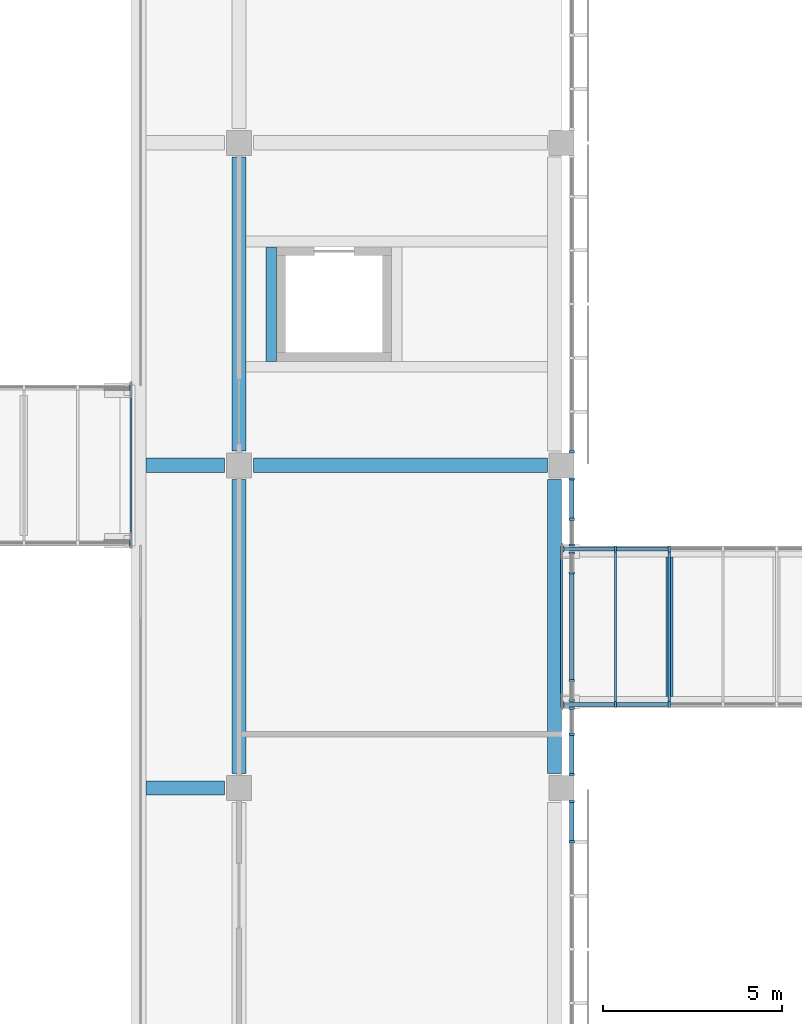
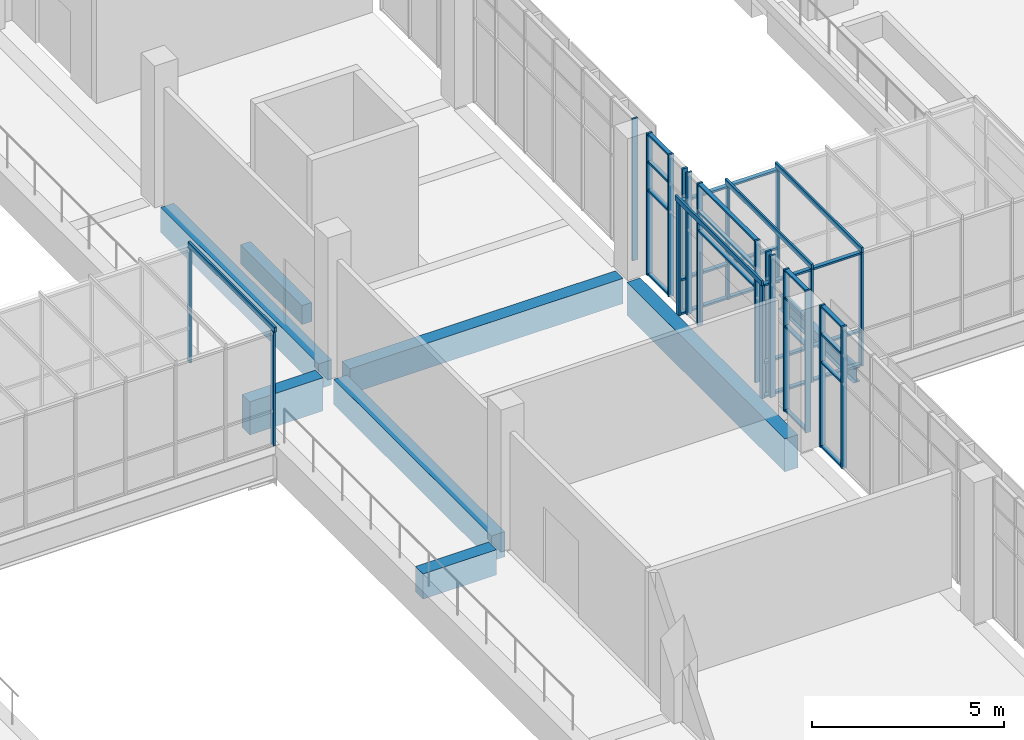
# One storey, part 25 of 106: 52 members, 8 beams, 11 elements without a shape of their own.
"""IFC4 building model written with IfcOpenShell, lengths in metres."""

from ifc_helpers import new_model, si_unit, direction, frame, origin, origin_2d, place, context, subcontext, project, spatial, rectangle, i_section, extrude, material, layer, layer_set, material_profile, profile_set, type_object, element, aggregate, save


model = new_model("IFC4")

# Units and contexts
model_context = context("Model", 3, precision=1e-05, world=origin(), true_north=direction((0.0, 1.0)))
body_context = subcontext(model_context, "Body", "Model", "MODEL_VIEW")
ifc_project = project(units=[si_unit("LENGTHUNIT", "METRE"), si_unit("AREAUNIT", "SQUARE_METRE"), si_unit("VOLUMEUNIT", "CUBIC_METRE"), si_unit("PLANEANGLEUNIT", "RADIAN"), si_unit("MASSUNIT", "GRAM", prefix="KILO")], contexts=[model_context])

# Site, building, storey
site_placement = place(None, origin())
site = spatial("IfcSite", under=ifc_project, at=site_placement, CompositionType="ELEMENT")
building_placement = place(site_placement, origin())
building = spatial("IfcBuilding", under=site, at=building_placement, Name="Guidao Yard Department Store", CompositionType="ELEMENT")
storey_placement = place(building_placement, frame((0.0, 0.0, 10.5)))
storey = spatial("IfcBuildingStorey", under=building, at=storey_placement, Name="L02", CompositionType="ELEMENT", Elevation=10.5)

# Beams
ifc_material_1 = material(Name="Concrete C40", Category="concrete")
ifc_material_profile_1 = material_profile(ifc_material_1, rectangle(XDim=0.39990234375, YDim=1.050048828125, at=origin_2d()), Name="Bridge landing beam 400 x 1050 C40")
ifc_profile_set_1 = profile_set([ifc_material_profile_1], Name="Concrete C40")
beam_type_1 = type_object("IfcBeamType", Name="Bridge landing beam 400 x 1050 C40", PredefinedType="BEAM", material=ifc_profile_set_1)
beam_1_placement = place(storey_placement, frame((107.800048828125, 81.39990234375, -0.52490234375), z_axis=(0.0, 1.0, 0.0), x_axis=(-1.0, 0.0, 0.0)))
element("IfcBeam", 1, at=beam_1_placement, inside=storey, type_object=beam_type_1, Name="Beam LB08", PredefinedType="BEAM", context=body_context, shape_type="SweptSolid", body=[
    extrude(rectangle(XDim=0.39990234375, YDim=1.050048828125, at=origin_2d()), origin(), (0.0, 0.0, 1.0), 8.2001953125),
])
beam_2_placement = place(storey_placement, frame((96.39990234375, 90.0, -0.52490234375), z_axis=(1.0, 0.0, 0.0), x_axis=(0.0, 1.0, 0.0)))
element("IfcBeam", 2, at=beam_2_placement, inside=storey, type_object=beam_type_1, Name="Beam LB10", PredefinedType="BEAM", context=body_context, shape_type="SweptSolid", body=[
    extrude(rectangle(XDim=0.39990234375, YDim=1.050048828125, at=origin_2d()), origin(), (0.0, 0.0, 1.0), 2.2001953125),
])
ifc_material_2 = material(Name="Concrete C40", Category="concrete")
ifc_material_profile_2 = material_profile(ifc_material_2, rectangle(XDim=0.39990234375, YDim=0.800048828125, at=origin_2d()), Name="Edge beam 400 x 800 C40")
ifc_profile_set_2 = profile_set([ifc_material_profile_2], Name="Concrete C40")
beam_type_2 = type_object("IfcBeamType", Name="Edge beam 400 x 800 C40", PredefinedType="BEAM", material=ifc_profile_set_2)
for number, where, z_axis, x_axis, name in (
    (3, (99.0, 81.39990234375, -0.39990234375), (0.0, 1.0, 0.0), (-1.0, 0.0, 0.0), "Beam EB53"),
    (4, (99.0, 90.39990234375, -0.39990234375), (0.0, 1.0, 0.0), (-1.0, 0.0, 0.0), "Beam EB54"),
):
    element("IfcBeam", number, at=place(storey_placement, frame(where, z_axis=z_axis, x_axis=x_axis)), inside=storey, type_object=beam_type_2, Name=name, PredefinedType="BEAM", context=body_context, shape_type="SweptSolid", body=[
        extrude(rectangle(XDim=0.39990234375, YDim=0.800048828125, at=origin_2d()), origin(), (0.0, 0.0, 1.0), 8.2001953125),
    ])
beam_3_placement = place(storey_placement, frame((96.39990234375, 81.0, -0.39990234375), z_axis=(1.0, 0.0, 0.0), x_axis=(0.0, 1.0, 0.0)))
element("IfcBeam", 5, at=beam_3_placement, inside=storey, type_object=beam_type_2, Name="Beam EB59", PredefinedType="BEAM", context=body_context, shape_type="SweptSolid", body=[
    extrude(rectangle(XDim=0.39990234375, YDim=0.800048828125, at=origin_2d()), origin(), (0.0, 0.0, 1.0), 2.2001953125),
])
beam_4_placement = place(storey_placement, frame((99.39990234375, 90.0, -0.39990234375), z_axis=(1.0, 0.0, 0.0), x_axis=(0.0, 1.0, 0.0)))
element("IfcBeam", 6, at=beam_4_placement, inside=storey, type_object=beam_type_2, Name="Beam EB83", PredefinedType="BEAM", context=body_context, shape_type="SweptSolid", body=[
    extrude(rectangle(XDim=0.39990234375, YDim=0.800048828125, at=origin_2d()), origin(), (0.0, 0.0, 1.0), 8.2001953125),
])
ifc_material_3 = material(Name="Steel Q355B", Category="steel")
ifc_material_profile_3 = material_profile(ifc_material_3, i_section(OverallWidth=0.199951171875, OverallDepth=0.449951171875, WebThickness=0.009033203125, FlangeThickness=0.013916015625, FilletRadius=0.012939453125, at=origin_2d()), Name="HN 450x200x9x14")
ifc_profile_set_3 = profile_set([ifc_material_profile_3], Name="Steel Q355B")
beam_type_3 = type_object("IfcBeamType", Name="HN 450x200x9x14", PredefinedType="BEAM", material=ifc_profile_set_3)
beam_5_placement = place(storey_placement, frame((111.0048828125, 83.550048828125, -0.47509765625), z_axis=(0.0, 1.0, 0.0), x_axis=(-1.0, 0.0, 0.0)))
element("IfcBeam", 7, at=beam_5_placement, inside=storey, type_object=beam_type_3, Name="Bridge cross beam BR08-1", PredefinedType="BEAM", context=body_context, shape_type="SweptSolid", body=[
    extrude(i_section(OverallWidth=0.199951171875, OverallDepth=0.449951171875, WebThickness=0.009033203125, FlangeThickness=0.013916015625, FilletRadius=0.012939453125, at=origin_2d()), origin(), (0.0, 0.0, 1.0), 3.89990234375),
])

# Curtain wall, members
ifc_material_4 = material(Name="Aluminium and glass", Category="aluminium")
ifc_layer_1 = layer(ifc_material_4, 0.159912109375)
ifc_layer_set_1 = layer_set([ifc_layer_1], Name="Shopfront curtain wall CW1 1500 module")
curtain_wall_type_1 = type_object("IfcCurtainWallType", Name="Shopfront curtain wall CW1 1500 module", PredefinedType="NOTDEFINED", material=ifc_layer_set_1)
curtain_wall_1_placement = place(storey_placement, origin())
curtain_wall_1 = element("IfcCurtainWall", 8, at=curtain_wall_1_placement, inside=storey, type_object=curtain_wall_type_1, Name="Arcade shop front", PredefinedType="NOTDEFINED")
ifc_material_5 = material(Name="Aluminium 6063-T5", Category="aluminium")
ifc_material_profile_4 = material_profile(ifc_material_5, rectangle(XDim=0.06005859375, YDim=0.159912109375, at=origin_2d()), Name="Mullion M1 60 x 160 aluminium pressure plate")
ifc_profile_set_4 = profile_set([ifc_material_profile_4], Name="Aluminium 6063-T5")
member_type_1 = type_object("IfcMemberType", Name="Mullion M1 60 x 160 aluminium pressure plate", PredefinedType="MULLION", material=ifc_profile_set_4)
member_1_placement = place(storey_placement, frame((108.280029296875, 79.5, 0.0), z_axis=(0.0, 0.0, 1.0), x_axis=(0.0, -1.0, 0.0)))
member_1 = element("IfcMember", 9, at=member_1_placement, type_object=member_type_1, Name="CW-AS-L02-17 mullion 6", PredefinedType="MULLION", context=body_context, shape_type="SweptSolid", body=[
    extrude(rectangle(XDim=0.06005859375, YDim=0.159912109375, at=origin_2d()), origin(), (0.0, 0.0, 1.0), 4.5),
])
member_2_placement = place(storey_placement, frame((108.280029296875, 80.6201171875, 0.0), z_axis=(0.0, 0.0, 1.0), x_axis=(0.0, -1.0, 0.0)))
member_2 = element("IfcMember", 10, at=member_2_placement, type_object=member_type_1, Name="CW-AS-L02-17 mullion 7", PredefinedType="MULLION", context=body_context, shape_type="SweptSolid", body=[
    extrude(rectangle(XDim=0.06005859375, YDim=0.159912109375, at=origin_2d()), origin(), (0.0, 0.0, 1.0), 4.5),
])

curtain_wall_2_placement = place(storey_placement, origin())
curtain_wall_2 = element("IfcCurtainWall", 11, at=curtain_wall_2_placement, inside=storey, type_object=curtain_wall_type_1, Name="Arcade shop front", PredefinedType="NOTDEFINED")
member_3_placement = place(storey_placement, frame((108.280029296875, 81.3798828125, 0.0), z_axis=(0.0, 0.0, 1.0), x_axis=(0.0, -1.0, 0.0)))
member_3 = element("IfcMember", 12, at=member_3_placement, type_object=member_type_1, Name="CW-AS-L02-18 mullion 1", PredefinedType="MULLION", context=body_context, shape_type="SweptSolid", body=[
    extrude(rectangle(XDim=0.06005859375, YDim=0.159912109375, at=origin_2d()), origin(), (0.0, 0.0, 1.0), 4.5),
])
member_4_placement = place(storey_placement, frame((108.280029296875, 82.5, 0.0), z_axis=(0.0, 0.0, 1.0), x_axis=(0.0, -1.0, 0.0)))
member_4 = element("IfcMember", 13, at=member_4_placement, type_object=member_type_1, Name="CW-AS-L02-18 mullion 2", PredefinedType="MULLION", context=body_context, shape_type="SweptSolid", body=[
    extrude(rectangle(XDim=0.06005859375, YDim=0.159912109375, at=origin_2d()), origin(), (0.0, 0.0, 1.0), 4.5),
])
member_5_placement = place(storey_placement, frame((108.280029296875, 83.219970703125, 0.0), z_axis=(0.0, 0.0, 1.0), x_axis=(0.0, -1.0, 0.0)))
member_5 = element("IfcMember", 14, at=member_5_placement, type_object=member_type_1, Name="CW-AS-L02-18 mullion 3", PredefinedType="MULLION", context=body_context, shape_type="SweptSolid", body=[
    extrude(rectangle(XDim=0.06005859375, YDim=0.159912109375, at=origin_2d()), origin(), (0.0, 0.0, 1.0), 4.5),
])

curtain_wall_3_placement = place(storey_placement, origin())
curtain_wall_3 = element("IfcCurtainWall", 15, at=curtain_wall_3_placement, inside=storey, type_object=curtain_wall_type_1, Name="Arcade shop front", PredefinedType="NOTDEFINED")
member_6_placement = place(storey_placement, frame((108.280029296875, 83.43994140625, 0.0), z_axis=(0.0, 0.0, 1.0), x_axis=(0.0, -1.0, 0.0)))
member_6 = element("IfcMember", 16, at=member_6_placement, type_object=member_type_1, Name="CW-AS-L02-19 mullion 1", PredefinedType="MULLION", context=body_context, shape_type="SweptSolid", body=[
    extrude(rectangle(XDim=0.06005859375, YDim=0.159912109375, at=origin_2d()), origin(), (0.0, 0.0, 1.0), 4.5),
])
member_7_placement = place(storey_placement, frame((108.280029296875, 84.0, 0.0), z_axis=(0.0, 0.0, 1.0), x_axis=(0.0, -1.0, 0.0)))
member_7 = element("IfcMember", 17, at=member_7_placement, type_object=member_type_1, Name="CW-AS-L02-19 mullion 2", PredefinedType="MULLION", context=body_context, shape_type="SweptSolid", body=[
    extrude(rectangle(XDim=0.06005859375, YDim=0.159912109375, at=origin_2d()), origin(), (0.0, 0.0, 1.0), 4.5),
])
member_8_placement = place(storey_placement, frame((108.280029296875, 87.0, 0.0), z_axis=(0.0, 0.0, 1.0), x_axis=(0.0, -1.0, 0.0)))
member_8 = element("IfcMember", 18, at=member_8_placement, type_object=member_type_1, Name="CW-AS-L02-19 mullion 3", PredefinedType="MULLION", context=body_context, shape_type="SweptSolid", body=[
    extrude(rectangle(XDim=0.06005859375, YDim=0.159912109375, at=origin_2d()), origin(), (0.0, 0.0, 1.0), 4.5),
])
member_9_placement = place(storey_placement, frame((108.280029296875, 87.56005859375, 0.0), z_axis=(0.0, 0.0, 1.0), x_axis=(0.0, -1.0, 0.0)))
member_9 = element("IfcMember", 19, at=member_9_placement, type_object=member_type_1, Name="CW-AS-L02-19 mullion 4", PredefinedType="MULLION", context=body_context, shape_type="SweptSolid", body=[
    extrude(rectangle(XDim=0.06005859375, YDim=0.159912109375, at=origin_2d()), origin(), (0.0, 0.0, 1.0), 4.5),
])

curtain_wall_4_placement = place(storey_placement, origin())
curtain_wall_4 = element("IfcCurtainWall", 20, at=curtain_wall_4_placement, inside=storey, type_object=curtain_wall_type_1, Name="Arcade shop front", PredefinedType="NOTDEFINED")
member_10_placement = place(storey_placement, frame((108.280029296875, 87.780029296875, 0.0), z_axis=(0.0, 0.0, 1.0), x_axis=(0.0, -1.0, 0.0)))
member_10 = element("IfcMember", 21, at=member_10_placement, type_object=member_type_1, Name="CW-AS-L02-20 mullion 1", PredefinedType="MULLION", context=body_context, shape_type="SweptSolid", body=[
    extrude(rectangle(XDim=0.06005859375, YDim=0.159912109375, at=origin_2d()), origin(), (0.0, 0.0, 1.0), 4.5),
])
member_11_placement = place(storey_placement, frame((108.280029296875, 88.5, 0.0), z_axis=(0.0, 0.0, 1.0), x_axis=(0.0, -1.0, 0.0)))
member_11 = element("IfcMember", 22, at=member_11_placement, type_object=member_type_1, Name="CW-AS-L02-20 mullion 2", PredefinedType="MULLION", context=body_context, shape_type="SweptSolid", body=[
    extrude(rectangle(XDim=0.06005859375, YDim=0.159912109375, at=origin_2d()), origin(), (0.0, 0.0, 1.0), 4.5),
])
member_12_placement = place(storey_placement, frame((108.280029296875, 89.6201171875, 0.0), z_axis=(0.0, 0.0, 1.0), x_axis=(0.0, -1.0, 0.0)))
member_12 = element("IfcMember", 23, at=member_12_placement, type_object=member_type_1, Name="CW-AS-L02-20 mullion 3", PredefinedType="MULLION", context=body_context, shape_type="SweptSolid", body=[
    extrude(rectangle(XDim=0.06005859375, YDim=0.159912109375, at=origin_2d()), origin(), (0.0, 0.0, 1.0), 4.5),
])

# Curtain wall, member
curtain_wall_5_placement = place(storey_placement, origin())
curtain_wall_5 = element("IfcCurtainWall", 24, at=curtain_wall_5_placement, inside=storey, type_object=curtain_wall_type_1, Name="Arcade shop front", PredefinedType="NOTDEFINED")
member_13_placement = place(storey_placement, frame((108.280029296875, 90.3798828125, 0.0), z_axis=(0.0, 0.0, 1.0), x_axis=(0.0, -1.0, 0.0)))
member_13 = element("IfcMember", 25, at=member_13_placement, type_object=member_type_1, Name="CW-AS-L02-21 mullion 1", PredefinedType="MULLION", context=body_context, shape_type="SweptSolid", body=[
    extrude(rectangle(XDim=0.06005859375, YDim=0.159912109375, at=origin_2d()), origin(), (0.0, 0.0, 1.0), 4.5),
])
aggregate(curtain_wall_5, [member_13])

# Curtain wall, members
ifc_material_6 = material(Name="Aluminium and glass", Category="aluminium")
ifc_layer_2 = layer(ifc_material_6, 0.159912109375)
ifc_layer_set_2 = layer_set([ifc_layer_2], Name="Bridge glazing CW5 1500 module")
curtain_wall_type_2 = type_object("IfcCurtainWallType", Name="Bridge glazing CW5 1500 module", PredefinedType="NOTDEFINED", material=ifc_layer_set_2)
curtain_wall_6_placement = place(storey_placement, origin())
curtain_wall_6 = element("IfcCurtainWall", 26, at=curtain_wall_6_placement, inside=storey, type_object=curtain_wall_type_2, Name="Bridge glazing BR08 S", PredefinedType="NOTDEFINED")
member_14_placement = place(storey_placement, frame((108.030029296875, 83.330078125, 0.0), z_axis=(0.0, 0.0, 1.0), x_axis=(-1.0, 0.0, 0.0)))
member_14 = element("IfcMember", 27, at=member_14_placement, type_object=member_type_1, Name="CW-S-L02-05 mullion 1", PredefinedType="MULLION", context=body_context, shape_type="SweptSolid", body=[
    extrude(rectangle(XDim=0.06005859375, YDim=0.159912109375, at=origin_2d()), origin(), (0.0, 0.0, 1.0), 3.60009765625),
])
member_15_placement = place(storey_placement, frame((109.5, 83.330078125, 0.0), z_axis=(0.0, 0.0, 1.0), x_axis=(-1.0, 0.0, 0.0)))
member_15 = element("IfcMember", 28, at=member_15_placement, type_object=member_type_1, Name="CW-S-L02-05 mullion 2", PredefinedType="MULLION", context=body_context, shape_type="SweptSolid", body=[
    extrude(rectangle(XDim=0.06005859375, YDim=0.159912109375, at=origin_2d()), origin(), (0.0, 0.0, 1.0), 3.60009765625),
])
member_16_placement = place(storey_placement, frame((111.0, 83.330078125, 0.0), z_axis=(0.0, 0.0, 1.0), x_axis=(-1.0, 0.0, 0.0)))
member_16 = element("IfcMember", 29, at=member_16_placement, type_object=member_type_1, Name="CW-S-L02-05 mullion 3", PredefinedType="MULLION", context=body_context, shape_type="SweptSolid", body=[
    extrude(rectangle(XDim=0.06005859375, YDim=0.159912109375, at=origin_2d()), origin(), (0.0, 0.0, 1.0), 3.60009765625),
])

curtain_wall_7_placement = place(storey_placement, origin())
curtain_wall_7 = element("IfcCurtainWall", 30, at=curtain_wall_7_placement, inside=storey, type_object=curtain_wall_type_2, Name="Bridge glazing BR08 N", PredefinedType="NOTDEFINED")
member_17_placement = place(storey_placement, frame((108.030029296875, 87.669921875, 0.0), z_axis=(0.0, 0.0, 1.0), x_axis=(1.0, 0.0, 0.0)))
member_17 = element("IfcMember", 31, at=member_17_placement, type_object=member_type_1, Name="CW-N-L02-06 mullion 1", PredefinedType="MULLION", context=body_context, shape_type="SweptSolid", body=[
    extrude(rectangle(XDim=0.06005859375, YDim=0.159912109375, at=origin_2d()), origin(), (0.0, 0.0, 1.0), 3.60009765625),
])
member_18_placement = place(storey_placement, frame((109.5, 87.669921875, 0.0), z_axis=(0.0, 0.0, 1.0), x_axis=(1.0, 0.0, 0.0)))
member_18 = element("IfcMember", 32, at=member_18_placement, type_object=member_type_1, Name="CW-N-L02-06 mullion 2", PredefinedType="MULLION", context=body_context, shape_type="SweptSolid", body=[
    extrude(rectangle(XDim=0.06005859375, YDim=0.159912109375, at=origin_2d()), origin(), (0.0, 0.0, 1.0), 3.60009765625),
])
member_19_placement = place(storey_placement, frame((111.0, 87.669921875, 0.0), z_axis=(0.0, 0.0, 1.0), x_axis=(1.0, 0.0, 0.0)))
member_19 = element("IfcMember", 33, at=member_19_placement, type_object=member_type_1, Name="CW-N-L02-06 mullion 3", PredefinedType="MULLION", context=body_context, shape_type="SweptSolid", body=[
    extrude(rectangle(XDim=0.06005859375, YDim=0.159912109375, at=origin_2d()), origin(), (0.0, 0.0, 1.0), 3.60009765625),
])

# Curtain wall, member
curtain_wall_8_placement = place(storey_placement, origin())
curtain_wall_8 = element("IfcCurtainWall", 34, at=curtain_wall_8_placement, inside=storey, type_object=curtain_wall_type_2, Name="Bridge glazing BR12 S", PredefinedType="NOTDEFINED")
member_20_placement = place(storey_placement, frame((95.955078125, 87.830078125, 0.0), z_axis=(0.0, 0.0, 1.0), x_axis=(-1.0, 0.0, 0.0)))
member_20 = element("IfcMember", 35, at=member_20_placement, type_object=member_type_1, Name="CW-S-L02-10 mullion 9", PredefinedType="MULLION", context=body_context, shape_type="SweptSolid", body=[
    extrude(rectangle(XDim=0.06005859375, YDim=0.159912109375, at=origin_2d()), origin(), (0.0, 0.0, 1.0), 3.60009765625),
])
aggregate(curtain_wall_8, [member_20])

curtain_wall_9_placement = place(storey_placement, origin())
curtain_wall_9 = element("IfcCurtainWall", 36, at=curtain_wall_9_placement, inside=storey, type_object=curtain_wall_type_2, Name="Bridge glazing BR12 N", PredefinedType="NOTDEFINED")
member_21_placement = place(storey_placement, frame((95.955078125, 92.169921875, 0.0), z_axis=(0.0, 0.0, 1.0), x_axis=(1.0, 0.0, 0.0)))
member_21 = element("IfcMember", 37, at=member_21_placement, type_object=member_type_1, Name="CW-N-L02-11 mullion 9", PredefinedType="MULLION", context=body_context, shape_type="SweptSolid", body=[
    extrude(rectangle(XDim=0.06005859375, YDim=0.159912109375, at=origin_2d()), origin(), (0.0, 0.0, 1.0), 3.60009765625),
])
aggregate(curtain_wall_9, [member_21])

# Beam
ifc_material_7 = material(Name="Concrete C40", Category="concrete")
ifc_material_profile_5 = material_profile(ifc_material_7, rectangle(XDim=0.300048828125, YDim=0.60009765625, at=origin_2d()), Name="Opening beam 300 x 600 C40")
ifc_profile_set_5 = profile_set([ifc_material_profile_5], Name="Concrete C40")
beam_type_4 = type_object("IfcBeamType", Name="Opening beam 300 x 600 C40", PredefinedType="BEAM", material=ifc_profile_set_5)
beam_6_placement = place(storey_placement, frame((99.89990234375, 92.89990234375, -0.300048828125), z_axis=(0.0, 1.0, 0.0), x_axis=(-1.0, 0.0, 0.0)))
element("IfcBeam", 38, at=beam_6_placement, inside=storey, type_object=beam_type_4, Name="Beam OB35", PredefinedType="BEAM", context=body_context, shape_type="SweptSolid", body=[
    extrude(rectangle(XDim=0.300048828125, YDim=0.60009765625, at=origin_2d()), origin(), (0.0, 0.0, 1.0), 3.2001953125),
])

# Curtain wall, members
curtain_wall_10_placement = place(storey_placement, origin())
curtain_wall_10 = element("IfcCurtainWall", 39, at=curtain_wall_10_placement, inside=storey, type_object=curtain_wall_type_2, Name="Bridge roof glazing BR08", PredefinedType="NOTDEFINED")
ifc_material_8 = material(Name="Aluminium 6063-T5", Category="aluminium")
ifc_material_profile_6 = material_profile(ifc_material_8, rectangle(XDim=0.06005859375, YDim=0.159912109375, at=origin_2d()), Name="Roof bar RB1 60 x 160 aluminium")
ifc_profile_set_6 = profile_set([ifc_material_profile_6], Name="Aluminium 6063-T5")
member_type_2 = type_object("IfcMemberType", Name="Roof bar RB1 60 x 160 aluminium", PredefinedType="USERDEFINED", material=ifc_profile_set_6)
member_22_placement = place(storey_placement, frame((108.0, 83.25, 3.679931640625), z_axis=(0.0, 1.0, 0.0), x_axis=(-1.0, 0.0, 0.0)))
member_22 = element("IfcMember", 40, at=member_22_placement, type_object=member_type_2, Name="Bridge roof bar BR08", ObjectType="TRANSOM", PredefinedType="USERDEFINED", context=body_context, shape_type="SweptSolid", body=[
    extrude(rectangle(XDim=0.06005859375, YDim=0.159912109375, at=origin_2d()), origin(), (0.0, 0.0, 1.0), 4.5),
])
member_23_placement = place(storey_placement, frame((109.5, 83.25, 3.679931640625), z_axis=(0.0, 1.0, 0.0), x_axis=(-1.0, 0.0, 0.0)))
member_23 = element("IfcMember", 41, at=member_23_placement, type_object=member_type_2, Name="Bridge roof bar BR08", ObjectType="TRANSOM", PredefinedType="USERDEFINED", context=body_context, shape_type="SweptSolid", body=[
    extrude(rectangle(XDim=0.06005859375, YDim=0.159912109375, at=origin_2d()), origin(), (0.0, 0.0, 1.0), 4.5),
])
member_24_placement = place(storey_placement, frame((111.0, 83.25, 3.679931640625), z_axis=(0.0, 1.0, 0.0), x_axis=(-1.0, 0.0, 0.0)))
member_24 = element("IfcMember", 42, at=member_24_placement, type_object=member_type_2, Name="Bridge roof bar BR08", ObjectType="TRANSOM", PredefinedType="USERDEFINED", context=body_context, shape_type="SweptSolid", body=[
    extrude(rectangle(XDim=0.06005859375, YDim=0.159912109375, at=origin_2d()), origin(), (0.0, 0.0, 1.0), 4.5),
])
aggregate(curtain_wall_10, [member_22, member_23, member_24])

# Curtain wall, member
curtain_wall_11_placement = place(storey_placement, origin())
curtain_wall_11 = element("IfcCurtainWall", 43, at=curtain_wall_11_placement, inside=storey, type_object=curtain_wall_type_2, Name="Bridge roof glazing BR12", PredefinedType="NOTDEFINED")
member_25_placement = place(storey_placement, frame((95.985107421875, 87.75, 3.679931640625), z_axis=(0.0, 1.0, 0.0), x_axis=(-1.0, 0.0, 0.0)))
member_25 = element("IfcMember", 44, at=member_25_placement, type_object=member_type_2, Name="Bridge roof bar BR12", ObjectType="TRANSOM", PredefinedType="USERDEFINED", context=body_context, shape_type="SweptSolid", body=[
    extrude(rectangle(XDim=0.06005859375, YDim=0.159912109375, at=origin_2d()), origin(), (0.0, 0.0, 1.0), 4.5),
])
aggregate(curtain_wall_11, [member_25])

# Member
ifc_material_9 = material(Name="Aluminium 6063-T5", Category="aluminium")
ifc_material_profile_7 = material_profile(ifc_material_9, rectangle(XDim=0.1201171875, YDim=0.06005859375, at=origin_2d()), Name="Transom T1 60 x 120 aluminium pressure plate")
ifc_profile_set_7 = profile_set([ifc_material_profile_7], Name="Aluminium 6063-T5")
member_type_3 = type_object("IfcMemberType", Name="Transom T1 60 x 120 aluminium pressure plate", PredefinedType="USERDEFINED", material=ifc_profile_set_7)
member_26_placement = place(storey_placement, frame((108.280029296875, 80.590087890625, 0.030029296875), z_axis=(0.0, -1.0, 0.0), x_axis=(1.0, 0.0, 0.0)))
member_26 = element("IfcMember", 45, at=member_26_placement, type_object=member_type_3, Name="CW-AS-L02-17 transom 6.1", ObjectType="TRANSOM", PredefinedType="USERDEFINED", context=body_context, shape_type="SweptSolid", body=[
    extrude(rectangle(XDim=0.1201171875, YDim=0.06005859375, at=origin_2d()), origin(), (0.0, 0.0, 1.0), 1.06005859375),
])

member_27_placement = place(storey_placement, frame((108.280029296875, 80.590087890625, 2.699951171875), z_axis=(0.0, -1.0, 0.0), x_axis=(1.0, 0.0, 0.0)))
member_27 = element("IfcMember", 46, at=member_27_placement, type_object=member_type_3, Name="CW-AS-L02-17 transom 6.2", ObjectType="TRANSOM", PredefinedType="USERDEFINED", context=body_context, shape_type="SweptSolid", body=[
    extrude(rectangle(XDim=0.1201171875, YDim=0.06005859375, at=origin_2d()), origin(), (0.0, 0.0, 1.0), 1.06005859375),
])

member_28_placement = place(storey_placement, frame((108.280029296875, 80.590087890625, 3.60009765625), z_axis=(0.0, -1.0, 0.0), x_axis=(1.0, 0.0, 0.0)))
member_28 = element("IfcMember", 47, at=member_28_placement, type_object=member_type_3, Name="CW-AS-L02-17 transom 6.3", ObjectType="TRANSOM", PredefinedType="USERDEFINED", context=body_context, shape_type="SweptSolid", body=[
    extrude(rectangle(XDim=0.1201171875, YDim=0.06005859375, at=origin_2d()), origin(), (0.0, 0.0, 1.0), 1.06005859375),
])

member_29_placement = place(storey_placement, frame((108.280029296875, 80.590087890625, 4.469970703125), z_axis=(0.0, -1.0, 0.0), x_axis=(1.0, 0.0, 0.0)))
member_29 = element("IfcMember", 48, at=member_29_placement, type_object=member_type_3, Name="CW-AS-L02-17 transom 6.4", ObjectType="TRANSOM", PredefinedType="USERDEFINED", context=body_context, shape_type="SweptSolid", body=[
    extrude(rectangle(XDim=0.1201171875, YDim=0.06005859375, at=origin_2d()), origin(), (0.0, 0.0, 1.0), 1.06005859375),
])

aggregate(curtain_wall_1, [member_1, member_2, member_26, member_27, member_28, member_29])

member_30_placement = place(storey_placement, frame((108.280029296875, 82.469970703125, 0.030029296875), z_axis=(0.0, -1.0, 0.0), x_axis=(1.0, 0.0, 0.0)))
member_30 = element("IfcMember", 49, at=member_30_placement, type_object=member_type_3, Name="CW-AS-L02-18 transom 1.1", ObjectType="TRANSOM", PredefinedType="USERDEFINED", context=body_context, shape_type="SweptSolid", body=[
    extrude(rectangle(XDim=0.1201171875, YDim=0.06005859375, at=origin_2d()), origin(), (0.0, 0.0, 1.0), 1.06005859375),
])

member_31_placement = place(storey_placement, frame((108.280029296875, 82.469970703125, 2.699951171875), z_axis=(0.0, -1.0, 0.0), x_axis=(1.0, 0.0, 0.0)))
member_31 = element("IfcMember", 50, at=member_31_placement, type_object=member_type_3, Name="CW-AS-L02-18 transom 1.2", ObjectType="TRANSOM", PredefinedType="USERDEFINED", context=body_context, shape_type="SweptSolid", body=[
    extrude(rectangle(XDim=0.1201171875, YDim=0.06005859375, at=origin_2d()), origin(), (0.0, 0.0, 1.0), 1.06005859375),
])

member_32_placement = place(storey_placement, frame((108.280029296875, 82.469970703125, 3.60009765625), z_axis=(0.0, -1.0, 0.0), x_axis=(1.0, 0.0, 0.0)))
member_32 = element("IfcMember", 51, at=member_32_placement, type_object=member_type_3, Name="CW-AS-L02-18 transom 1.3", ObjectType="TRANSOM", PredefinedType="USERDEFINED", context=body_context, shape_type="SweptSolid", body=[
    extrude(rectangle(XDim=0.1201171875, YDim=0.06005859375, at=origin_2d()), origin(), (0.0, 0.0, 1.0), 1.06005859375),
])

member_33_placement = place(storey_placement, frame((108.280029296875, 82.469970703125, 4.469970703125), z_axis=(0.0, -1.0, 0.0), x_axis=(1.0, 0.0, 0.0)))
member_33 = element("IfcMember", 52, at=member_33_placement, type_object=member_type_3, Name="CW-AS-L02-18 transom 1.4", ObjectType="TRANSOM", PredefinedType="USERDEFINED", context=body_context, shape_type="SweptSolid", body=[
    extrude(rectangle(XDim=0.1201171875, YDim=0.06005859375, at=origin_2d()), origin(), (0.0, 0.0, 1.0), 1.06005859375),
])

aggregate(curtain_wall_2, [member_3, member_4, member_5, member_30, member_31, member_32, member_33])

member_34_placement = place(storey_placement, frame((108.280029296875, 86.969970703125, 3.0), z_axis=(0.0, -1.0, 0.0), x_axis=(1.0, 0.0, 0.0)))
member_34 = element("IfcMember", 53, at=member_34_placement, type_object=member_type_3, Name="CW-AS-L02-19 transom 2.2", ObjectType="TRANSOM", PredefinedType="USERDEFINED", context=body_context, shape_type="SweptSolid", body=[
    extrude(rectangle(XDim=0.1201171875, YDim=0.06005859375, at=origin_2d()), origin(), (0.0, 0.0, 1.0), 2.93994140625),
])

member_35_placement = place(storey_placement, frame((108.280029296875, 86.969970703125, 3.60009765625), z_axis=(0.0, -1.0, 0.0), x_axis=(1.0, 0.0, 0.0)))
member_35 = element("IfcMember", 54, at=member_35_placement, type_object=member_type_3, Name="CW-AS-L02-19 transom 2.3", ObjectType="TRANSOM", PredefinedType="USERDEFINED", context=body_context, shape_type="SweptSolid", body=[
    extrude(rectangle(XDim=0.1201171875, YDim=0.06005859375, at=origin_2d()), origin(), (0.0, 0.0, 1.0), 2.93994140625),
])

member_36_placement = place(storey_placement, frame((108.280029296875, 86.969970703125, 4.469970703125), z_axis=(0.0, -1.0, 0.0), x_axis=(1.0, 0.0, 0.0)))
member_36 = element("IfcMember", 55, at=member_36_placement, type_object=member_type_3, Name="CW-AS-L02-19 transom 2.4", ObjectType="TRANSOM", PredefinedType="USERDEFINED", context=body_context, shape_type="SweptSolid", body=[
    extrude(rectangle(XDim=0.1201171875, YDim=0.06005859375, at=origin_2d()), origin(), (0.0, 0.0, 1.0), 2.93994140625),
])

aggregate(curtain_wall_3, [member_6, member_7, member_8, member_9, member_34, member_35, member_36])

member_37_placement = place(storey_placement, frame((108.280029296875, 89.590087890625, 0.030029296875), z_axis=(0.0, -1.0, 0.0), x_axis=(1.0, 0.0, 0.0)))
member_37 = element("IfcMember", 56, at=member_37_placement, type_object=member_type_3, Name="CW-AS-L02-20 transom 2.1", ObjectType="TRANSOM", PredefinedType="USERDEFINED", context=body_context, shape_type="SweptSolid", body=[
    extrude(rectangle(XDim=0.1201171875, YDim=0.06005859375, at=origin_2d()), origin(), (0.0, 0.0, 1.0), 1.06005859375),
])

member_38_placement = place(storey_placement, frame((108.280029296875, 89.590087890625, 2.699951171875), z_axis=(0.0, -1.0, 0.0), x_axis=(1.0, 0.0, 0.0)))
member_38 = element("IfcMember", 57, at=member_38_placement, type_object=member_type_3, Name="CW-AS-L02-20 transom 2.2", ObjectType="TRANSOM", PredefinedType="USERDEFINED", context=body_context, shape_type="SweptSolid", body=[
    extrude(rectangle(XDim=0.1201171875, YDim=0.06005859375, at=origin_2d()), origin(), (0.0, 0.0, 1.0), 1.06005859375),
])

member_39_placement = place(storey_placement, frame((108.280029296875, 89.590087890625, 3.60009765625), z_axis=(0.0, -1.0, 0.0), x_axis=(1.0, 0.0, 0.0)))
member_39 = element("IfcMember", 58, at=member_39_placement, type_object=member_type_3, Name="CW-AS-L02-20 transom 2.3", ObjectType="TRANSOM", PredefinedType="USERDEFINED", context=body_context, shape_type="SweptSolid", body=[
    extrude(rectangle(XDim=0.1201171875, YDim=0.06005859375, at=origin_2d()), origin(), (0.0, 0.0, 1.0), 1.06005859375),
])

member_40_placement = place(storey_placement, frame((108.280029296875, 89.590087890625, 4.469970703125), z_axis=(0.0, -1.0, 0.0), x_axis=(1.0, 0.0, 0.0)))
member_40 = element("IfcMember", 59, at=member_40_placement, type_object=member_type_3, Name="CW-AS-L02-20 transom 2.4", ObjectType="TRANSOM", PredefinedType="USERDEFINED", context=body_context, shape_type="SweptSolid", body=[
    extrude(rectangle(XDim=0.1201171875, YDim=0.06005859375, at=origin_2d()), origin(), (0.0, 0.0, 1.0), 1.06005859375),
])

aggregate(curtain_wall_4, [member_10, member_11, member_12, member_37, member_38, member_39, member_40])

member_41_placement = place(storey_placement, frame((109.469970703125, 83.330078125, 0.030029296875), z_axis=(-1.0, 0.0, 0.0), x_axis=(0.0, -1.0, 0.0)))
member_41 = element("IfcMember", 60, at=member_41_placement, type_object=member_type_3, Name="CW-S-L02-05 transom 1.1", ObjectType="TRANSOM", PredefinedType="USERDEFINED", context=body_context, shape_type="SweptSolid", body=[
    extrude(rectangle(XDim=0.1201171875, YDim=0.06005859375, at=origin_2d()), origin(), (0.0, 0.0, 1.0), 1.409912109375),
])

member_42_placement = place(storey_placement, frame((109.469970703125, 83.330078125, 1.10009765625), z_axis=(-1.0, 0.0, 0.0), x_axis=(0.0, -1.0, 0.0)))
member_42 = element("IfcMember", 61, at=member_42_placement, type_object=member_type_3, Name="CW-S-L02-05 transom 1.2", ObjectType="TRANSOM", PredefinedType="USERDEFINED", context=body_context, shape_type="SweptSolid", body=[
    extrude(rectangle(XDim=0.1201171875, YDim=0.06005859375, at=origin_2d()), origin(), (0.0, 0.0, 1.0), 1.409912109375),
])

member_43_placement = place(storey_placement, frame((109.469970703125, 83.330078125, 3.570068359375), z_axis=(-1.0, 0.0, 0.0), x_axis=(0.0, -1.0, 0.0)))
member_43 = element("IfcMember", 62, at=member_43_placement, type_object=member_type_3, Name="CW-S-L02-05 transom 1.3", ObjectType="TRANSOM", PredefinedType="USERDEFINED", context=body_context, shape_type="SweptSolid", body=[
    extrude(rectangle(XDim=0.1201171875, YDim=0.06005859375, at=origin_2d()), origin(), (0.0, 0.0, 1.0), 1.409912109375),
])

member_44_placement = place(storey_placement, frame((110.969970703125, 83.330078125, 0.030029296875), z_axis=(-1.0, 0.0, 0.0), x_axis=(0.0, -1.0, 0.0)))
member_44 = element("IfcMember", 63, at=member_44_placement, type_object=member_type_3, Name="CW-S-L02-05 transom 2.1", ObjectType="TRANSOM", PredefinedType="USERDEFINED", context=body_context, shape_type="SweptSolid", body=[
    extrude(rectangle(XDim=0.1201171875, YDim=0.06005859375, at=origin_2d()), origin(), (0.0, 0.0, 1.0), 1.43994140625),
])

member_45_placement = place(storey_placement, frame((110.969970703125, 83.330078125, 1.10009765625), z_axis=(-1.0, 0.0, 0.0), x_axis=(0.0, -1.0, 0.0)))
member_45 = element("IfcMember", 64, at=member_45_placement, type_object=member_type_3, Name="CW-S-L02-05 transom 2.2", ObjectType="TRANSOM", PredefinedType="USERDEFINED", context=body_context, shape_type="SweptSolid", body=[
    extrude(rectangle(XDim=0.1201171875, YDim=0.06005859375, at=origin_2d()), origin(), (0.0, 0.0, 1.0), 1.43994140625),
])

member_46_placement = place(storey_placement, frame((110.969970703125, 83.330078125, 3.570068359375), z_axis=(-1.0, 0.0, 0.0), x_axis=(0.0, -1.0, 0.0)))
member_46 = element("IfcMember", 65, at=member_46_placement, type_object=member_type_3, Name="CW-S-L02-05 transom 2.3", ObjectType="TRANSOM", PredefinedType="USERDEFINED", context=body_context, shape_type="SweptSolid", body=[
    extrude(rectangle(XDim=0.1201171875, YDim=0.06005859375, at=origin_2d()), origin(), (0.0, 0.0, 1.0), 1.43994140625),
])

aggregate(curtain_wall_6, [member_14, member_15, member_16, member_41, member_42, member_43, member_44, member_45, member_46])

member_47_placement = place(storey_placement, frame((108.06005859375, 87.669921875, 0.030029296875), z_axis=(1.0, 0.0, 0.0), x_axis=(0.0, 1.0, 0.0)))
member_47 = element("IfcMember", 66, at=member_47_placement, type_object=member_type_3, Name="CW-N-L02-06 transom 1.1", ObjectType="TRANSOM", PredefinedType="USERDEFINED", context=body_context, shape_type="SweptSolid", body=[
    extrude(rectangle(XDim=0.1201171875, YDim=0.06005859375, at=origin_2d()), origin(), (0.0, 0.0, 1.0), 1.409912109375),
])

member_48_placement = place(storey_placement, frame((108.06005859375, 87.669921875, 1.10009765625), z_axis=(1.0, 0.0, 0.0), x_axis=(0.0, 1.0, 0.0)))
member_48 = element("IfcMember", 67, at=member_48_placement, type_object=member_type_3, Name="CW-N-L02-06 transom 1.2", ObjectType="TRANSOM", PredefinedType="USERDEFINED", context=body_context, shape_type="SweptSolid", body=[
    extrude(rectangle(XDim=0.1201171875, YDim=0.06005859375, at=origin_2d()), origin(), (0.0, 0.0, 1.0), 1.409912109375),
])

member_49_placement = place(storey_placement, frame((108.06005859375, 87.669921875, 3.570068359375), z_axis=(1.0, 0.0, 0.0), x_axis=(0.0, 1.0, 0.0)))
member_49 = element("IfcMember", 68, at=member_49_placement, type_object=member_type_3, Name="CW-N-L02-06 transom 1.3", ObjectType="TRANSOM", PredefinedType="USERDEFINED", context=body_context, shape_type="SweptSolid", body=[
    extrude(rectangle(XDim=0.1201171875, YDim=0.06005859375, at=origin_2d()), origin(), (0.0, 0.0, 1.0), 1.409912109375),
])

member_50_placement = place(storey_placement, frame((109.530029296875, 87.669921875, 0.030029296875), z_axis=(1.0, 0.0, 0.0), x_axis=(0.0, 1.0, 0.0)))
member_50 = element("IfcMember", 69, at=member_50_placement, type_object=member_type_3, Name="CW-N-L02-06 transom 2.1", ObjectType="TRANSOM", PredefinedType="USERDEFINED", context=body_context, shape_type="SweptSolid", body=[
    extrude(rectangle(XDim=0.1201171875, YDim=0.06005859375, at=origin_2d()), origin(), (0.0, 0.0, 1.0), 1.43994140625),
])

member_51_placement = place(storey_placement, frame((109.530029296875, 87.669921875, 1.10009765625), z_axis=(1.0, 0.0, 0.0), x_axis=(0.0, 1.0, 0.0)))
member_51 = element("IfcMember", 70, at=member_51_placement, type_object=member_type_3, Name="CW-N-L02-06 transom 2.2", ObjectType="TRANSOM", PredefinedType="USERDEFINED", context=body_context, shape_type="SweptSolid", body=[
    extrude(rectangle(XDim=0.1201171875, YDim=0.06005859375, at=origin_2d()), origin(), (0.0, 0.0, 1.0), 1.43994140625),
])

member_52_placement = place(storey_placement, frame((109.530029296875, 87.669921875, 3.570068359375), z_axis=(1.0, 0.0, 0.0), x_axis=(0.0, 1.0, 0.0)))
member_52 = element("IfcMember", 71, at=member_52_placement, type_object=member_type_3, Name="CW-N-L02-06 transom 2.3", ObjectType="TRANSOM", PredefinedType="USERDEFINED", context=body_context, shape_type="SweptSolid", body=[
    extrude(rectangle(XDim=0.1201171875, YDim=0.06005859375, at=origin_2d()), origin(), (0.0, 0.0, 1.0), 1.43994140625),
])

aggregate(curtain_wall_7, [member_17, member_18, member_19, member_47, member_48, member_49, member_50, member_51, member_52])

save(model, "model.ifc")
